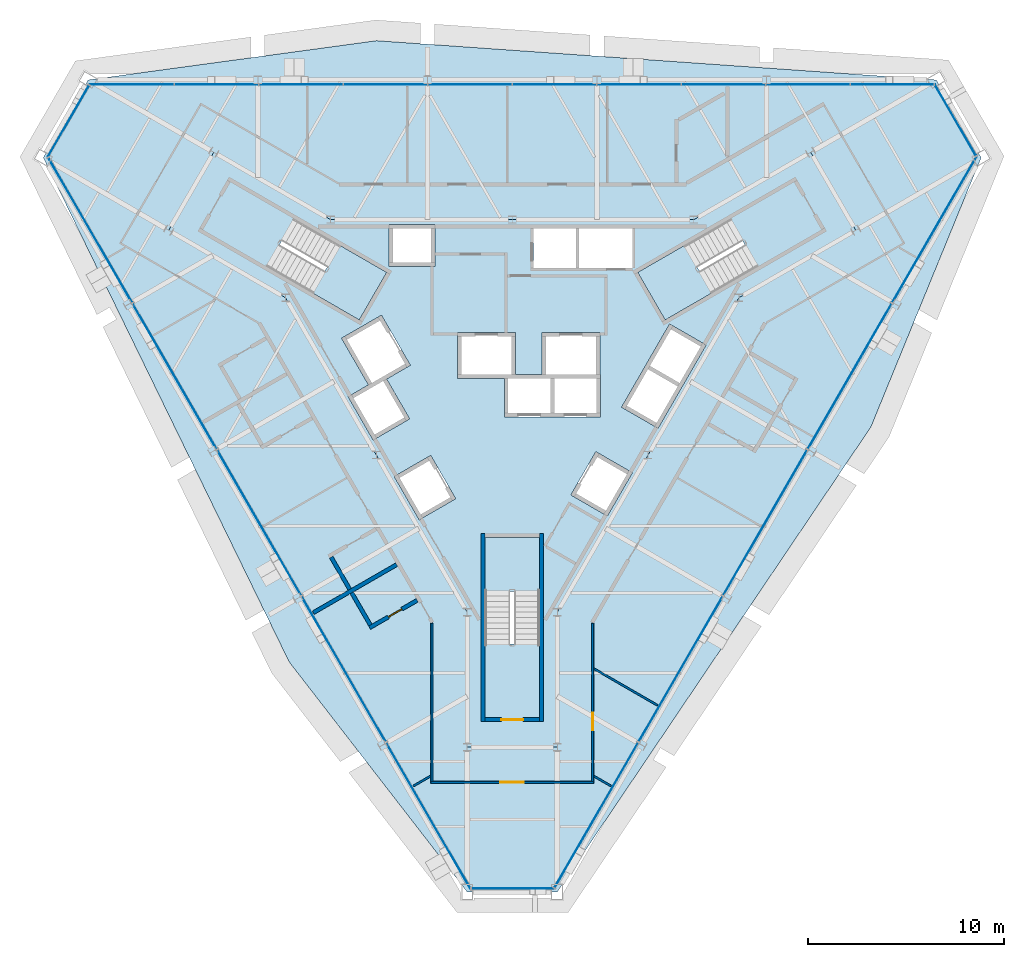
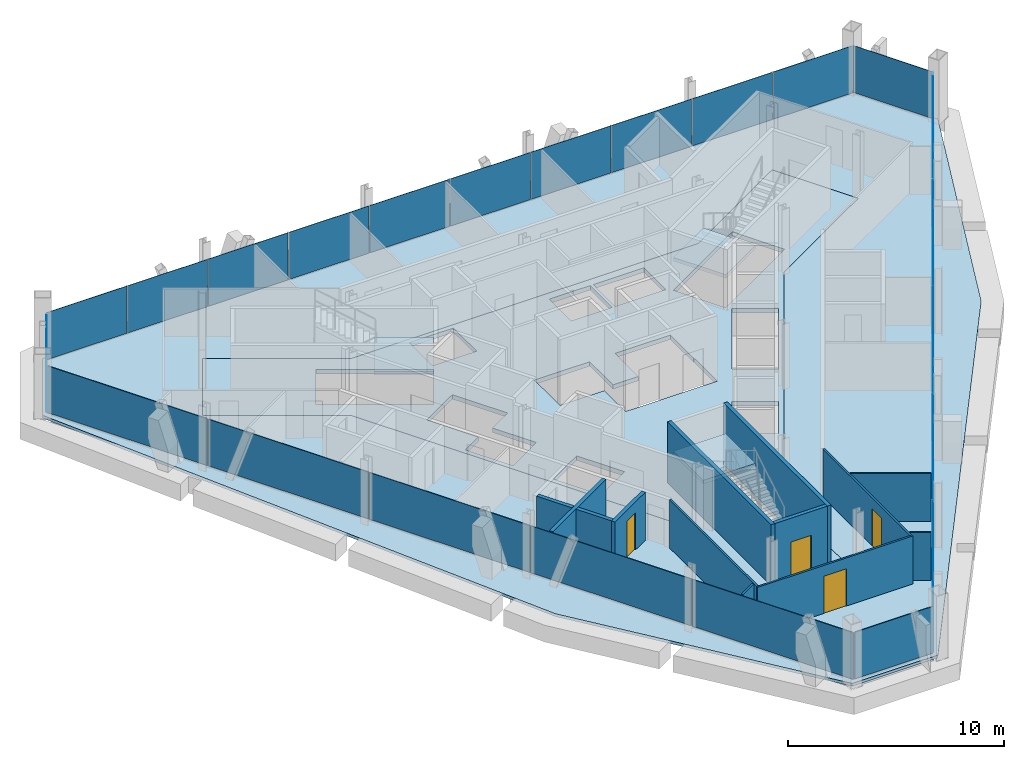
# One storey, part 8 of 13: 23 plates, 13 walls, 5 slabs, 4 doors, 4 openings, 9 elements without a shape of their own.
"""IFC4 building model written with IfcOpenShell, lengths in metres."""

from ifc_helpers import new_model, si_unit, direction, frame, frame_2d, origin, origin_2d, place, context, subcontext, project, spatial, polyline, rectangle, outline, extrude, material, layer, layer_set, type_object, element, fill, aggregate, save


model = new_model("IFC4")

# Units and contexts
model_context = context("Model", 3, precision=1e-05, world=origin(), true_north=direction((0.0, 1.0)))
body_context = subcontext(model_context, "Body", "Model", "MODEL_VIEW")
ifc_project = project(units=[si_unit("LENGTHUNIT", "METRE"), si_unit("AREAUNIT", "SQUARE_METRE"), si_unit("VOLUMEUNIT", "CUBIC_METRE"), si_unit("PLANEANGLEUNIT", "RADIAN"), si_unit("MASSUNIT", "GRAM", prefix="KILO")], contexts=[model_context])

# Site, building, storey
site_placement = place(None, origin())
site = spatial("IfcSite", under=ifc_project, at=site_placement, CompositionType="ELEMENT")
building_placement = place(site_placement, origin())
building = spatial("IfcBuilding", under=site, at=building_placement, Name="Verrane Prism Tower", CompositionType="ELEMENT")
storey_placement = place(building_placement, frame((0.0, 0.0, 210.10009765625)))
storey = spatial("IfcBuildingStorey", under=building, at=storey_placement, Name="L52", CompositionType="ELEMENT", Elevation=210.10009765625)

# Slabs
ifc_material_1 = material(Name="Concrete C35/45", Category="concrete")
ifc_layer_1 = layer(ifc_material_1, 0.159912109375)
ifc_layer_set_1 = layer_set([ifc_layer_1], Name="Composite floor slab")
slab_type_1 = type_object("IfcSlabType", Name="Composite floor slab", PredefinedType="FLOOR", material=ifc_layer_set_1)
slab_1_placement = place(storey_placement, frame((0.0, 0.0, -0.16015625)))
element("IfcSlab", 1, at=slab_1_placement, inside=storey, type_object=slab_type_1, Name="Floor slab L52", PredefinedType="FLOOR", context=body_context, shape_type="SweptSolid", body=[
    extrude(outline(polyline([(18.294921875, -2.572509765625), (2.291015625, -26.2919921875), (-2.291015625, -26.2919921875), (-11.375244140625, -14.5576171875), (-23.914794921875, 11.161865234375), (-21.623779296875, 15.1298828125), (-6.919677734375, 17.1298828125), (21.623779296875, 15.1298828125), (23.914794921875, 11.161865234375), (18.294921875, -2.572509765625)]), holes=[polyline([(17.52001953125, 7.4599609375), (15.219970703125, 11.43994140625), (9.260009765625, 8.0), (0.0, 8.0), (-9.260009765625, 8.0), (-15.219970703125, 11.43994140625), (-17.52001953125, 7.4599609375), (-11.56005859375, 4.02001953125), (-6.929931640625, -4.0), (-2.300048828125, -12.02001953125), (-2.300048828125, -18.89990234375), (2.300048828125, -18.89990234375), (2.300048828125, -12.02001953125), (6.929931640625, -4.0), (11.56005859375, 4.02001953125), (17.52001953125, 7.4599609375)])]), origin(), (0.0, 0.0, 1.0), 0.16015625),
])
ifc_material_2 = material(Name="Concrete C40/50", Category="concrete")
ifc_layer_2 = layer(ifc_material_2, 0.25)
ifc_layer_set_2 = layer_set([ifc_layer_2], Name="Core floor slab 250 concrete C40/50")
slab_type_2 = type_object("IfcSlabType", Name="Core floor slab 250 concrete C40/50", PredefinedType="FLOOR", material=ifc_layer_set_2)
slab_2_placement = place(storey_placement, frame((0.0, 0.0, -0.25)))
element("IfcSlab", 2, at=slab_2_placement, inside=storey, type_object=slab_type_2, Name="Core floor L52", PredefinedType="FLOOR", context=body_context, shape_type="SweptSolid", body=[
    extrude(outline(polyline([(11.56005859375, 4.02001953125), (17.52001953125, 7.4599609375), (15.219970703125, 11.43994140625), (9.260009765625, 8.0), (0.0, 8.0), (-9.260009765625, 8.0), (-15.219970703125, 11.43994140625), (-17.52001953125, 7.4599609375), (-11.56005859375, 4.02001953125), (-6.929931640625, -4.0), (-2.300048828125, -12.02001953125), (-2.300048828125, -18.89990234375), (2.300048828125, -18.89990234375), (2.300048828125, -12.02001953125), (6.929931640625, -4.0), (11.56005859375, 4.02001953125)]), holes=[polyline([(1.39990234375, -8.199951171875), (1.39990234375, -13.639892578125), (-1.39990234375, -13.639892578125), (-1.39990234375, -8.199951171875), (1.39990234375, -8.199951171875)]), polyline([(-2.881103515625, -6.22998046875), (-4.742919921875, -7.304931640625), (-6.01806640625, -5.096923828125), (-4.156005859375, -4.02197265625), (-2.881103515625, -6.22998046875)]), polyline([(-7.801025390625, 2.887939453125), (-12.512939453125, 5.60791015625), (-11.113037109375, 8.031982421875), (-6.40087890625, 5.31201171875), (-7.801025390625, 2.887939453125)]), polyline([(-6.284912109375, 5.610107421875), (-6.284912109375, 7.760009765625), (-3.93505859375, 7.760009765625), (-3.93505859375, 5.610107421875), (-6.284912109375, 5.610107421875)]), polyline([(4.26611328125, -3.8310546875), (6.1279296875, -4.906005859375), (4.85302734375, -7.114990234375), (2.990966796875, -6.0400390625), (4.26611328125, -3.8310546875)]), polyline([(7.43798828125, -2.636962890625), (5.575927734375, -1.56201171875), (8.02587890625, 2.680908203125), (9.887939453125, 1.60595703125), (7.43798828125, -2.636962890625)]), polyline([(0.1650390625, 0.10009765625), (1.52490234375, 0.10009765625), (1.52490234375, 2.25), (4.47509765625, 2.25), (4.47509765625, 0.10009765625), (4.4951171875, 0.10009765625), (4.4951171875, -2.050048828125), (-0.405029296875, -2.050048828125), (-0.405029296875, -0.10009765625), (-2.784912109375, -0.10009765625), (-2.784912109375, 2.25), (0.1650390625, 2.25), (0.1650390625, 0.10009765625)]), polyline([(6.40087890625, 5.31201171875), (11.113037109375, 8.031982421875), (12.512939453125, 5.60791015625), (7.801025390625, 2.887939453125), (6.40087890625, 5.31201171875)]), polyline([(1.074951171875, 5.534912109375), (1.074951171875, 7.56005859375), (3.264892578125, 7.56005859375), (3.264892578125, 5.534912109375), (1.074951171875, 5.534912109375)]), polyline([(3.4150390625, 7.56005859375), (6.125, 7.56005859375), (6.125, 5.534912109375), (3.4150390625, 5.534912109375), (3.4150390625, 7.56005859375)]), polyline([(-5.23095703125, -2.159912109375), (-7.093017578125, -3.235107421875), (-8.367919921875, -1.02587890625), (-7.3291015625, -0.426025390625), (-8.7041015625, 1.955078125), (-6.66796875, 3.1298828125), (-5.193115234375, 0.574951171875), (-6.406005859375, -0.125), (-5.23095703125, -2.159912109375)])]), origin(), (0.0, 0.0, 1.0), 0.25),
])

# Curtain wall, plates
ifc_material_3 = material(Name="Aluminium framed insulated glazing", Category="aluminium")
curtain_wall_type_1 = type_object("IfcCurtainWallType", Name="Curtain wall CW-C 4200 module", PredefinedType="NOTDEFINED", material=ifc_material_3)
curtain_wall_1_placement = place(storey_placement, origin())
curtain_wall_1 = element("IfcCurtainWall", 3, at=curtain_wall_1_placement, inside=storey, type_object=curtain_wall_type_1, Name="Glazed curtain wall north face L52", PredefinedType="NOTDEFINED")
ifc_material_4 = material(Name="Low-iron insulating glass unit", Category="glass")
ifc_layer_3 = layer(ifc_material_4, 0.02392578125)
ifc_layer_set_3 = layer_set([ifc_layer_3], Name="Glazing panel IGU 24")
plate_type_1 = type_object("IfcPlateType", Name="Glazing panel IGU 24", PredefinedType="CURTAIN_PANEL", material=ifc_layer_set_3)
plate_1_placement = place(storey_placement, frame((15.08544921875, 14.90185546875, 0.0498046875), z_axis=(0.0, 0.0, 1.0), x_axis=(-1.0, 0.0, 0.0)))
plate_1 = element("IfcPlate", 4, at=plate_1_placement, type_object=plate_type_1, Name="CW51.2 panel 2", PredefinedType="CURTAIN_PANEL", context=body_context, shape_type="SweptSolid", body=[
    extrude(rectangle(XDim=4.26025390625, YDim=0.02392578125, at=origin_2d()), origin(), (0.0, 0.0, 1.0), 2.662841796875),
])
plate_2_placement = place(storey_placement, frame((10.775390625, 14.90185546875, 0.0498046875), z_axis=(0.0, 0.0, 1.0), x_axis=(-1.0, 0.0, 0.0)))
plate_2 = element("IfcPlate", 5, at=plate_2_placement, type_object=plate_type_1, Name="CW51.2 panel 3", PredefinedType="CURTAIN_PANEL", context=body_context, shape_type="SweptSolid", body=[
    extrude(rectangle(XDim=4.26025390625, YDim=0.02392578125, at=origin_2d()), origin(), (0.0, 0.0, 1.0), 2.662841796875),
])
plate_3_placement = place(storey_placement, frame((6.46533203125, 14.90185546875, 0.0498046875), z_axis=(0.0, 0.0, 1.0), x_axis=(-1.0, 0.0, 0.0)))
plate_3 = element("IfcPlate", 6, at=plate_3_placement, type_object=plate_type_1, Name="CW51.2 panel 4", PredefinedType="CURTAIN_PANEL", context=body_context, shape_type="SweptSolid", body=[
    extrude(rectangle(XDim=4.26025390625, YDim=0.02392578125, at=origin_2d()), origin(), (0.0, 0.0, 1.0), 2.662841796875),
])
plate_4_placement = place(storey_placement, frame((2.155029296875, 14.90185546875, 0.0498046875), z_axis=(0.0, 0.0, 1.0), x_axis=(-1.0, 0.0, 0.0)))
plate_4 = element("IfcPlate", 7, at=plate_4_placement, type_object=plate_type_1, Name="CW51.2 panel 5", PredefinedType="CURTAIN_PANEL", context=body_context, shape_type="SweptSolid", body=[
    extrude(rectangle(XDim=4.26025390625, YDim=0.02392578125, at=origin_2d()), origin(), (0.0, 0.0, 1.0), 2.662841796875),
])
plate_5_placement = place(storey_placement, frame((-2.155029296875, 14.90185546875, 0.0498046875), z_axis=(0.0, 0.0, 1.0), x_axis=(-1.0, 0.0, 0.0)))
plate_5 = element("IfcPlate", 8, at=plate_5_placement, type_object=plate_type_1, Name="CW51.2 panel 6", PredefinedType="CURTAIN_PANEL", context=body_context, shape_type="SweptSolid", body=[
    extrude(rectangle(XDim=4.26025390625, YDim=0.02392578125, at=origin_2d()), origin(), (0.0, 0.0, 1.0), 2.662841796875),
])
plate_6_placement = place(storey_placement, frame((-6.46533203125, 14.90185546875, 0.0498046875), z_axis=(0.0, 0.0, 1.0), x_axis=(-1.0, 0.0, 0.0)))
plate_6 = element("IfcPlate", 9, at=plate_6_placement, type_object=plate_type_1, Name="CW51.2 panel 7", PredefinedType="CURTAIN_PANEL", context=body_context, shape_type="SweptSolid", body=[
    extrude(rectangle(XDim=4.26025390625, YDim=0.02392578125, at=origin_2d()), origin(), (0.0, 0.0, 1.0), 2.662841796875),
])
plate_7_placement = place(storey_placement, frame((-10.775390625, 14.90185546875, 0.0498046875), z_axis=(0.0, 0.0, 1.0), x_axis=(-1.0, 0.0, 0.0)))
plate_7 = element("IfcPlate", 10, at=plate_7_placement, type_object=plate_type_1, Name="CW51.2 panel 8", PredefinedType="CURTAIN_PANEL", context=body_context, shape_type="SweptSolid", body=[
    extrude(rectangle(XDim=4.26025390625, YDim=0.02392578125, at=origin_2d()), origin(), (0.0, 0.0, 1.0), 2.662841796875),
])
plate_8_placement = place(storey_placement, frame((-15.08544921875, 14.90185546875, 0.0498046875), z_axis=(0.0, 0.0, 1.0), x_axis=(-1.0, 0.0, 0.0)))
plate_8 = element("IfcPlate", 11, at=plate_8_placement, type_object=plate_type_1, Name="CW51.2 panel 9", PredefinedType="CURTAIN_PANEL", context=body_context, shape_type="SweptSolid", body=[
    extrude(rectangle(XDim=4.26025390625, YDim=0.02392578125, at=origin_2d()), origin(), (0.0, 0.0, 1.0), 2.662841796875),
])

# Curtain wall, plate
ifc_material_5 = material(Name="Aluminium framed insulated glazing", Category="aluminium")
curtain_wall_type_2 = type_object("IfcCurtainWallType", Name="Curtain wall CW-A 8400 module", PredefinedType="NOTDEFINED", material=ifc_material_5)
curtain_wall_2_placement = place(storey_placement, origin())
curtain_wall_2 = element("IfcCurtainWall", 12, at=curtain_wall_2_placement, inside=storey, type_object=curtain_wall_type_2, Name="Glazed curtain wall north-east corner L52", PredefinedType="NOTDEFINED")
ifc_material_6 = material(Name="Low-iron insulating glass unit", Category="glass")
ifc_layer_4 = layer(ifc_material_6, 0.031982421875)
ifc_layer_set_4 = layer_set([ifc_layer_4], Name="Glazing panel IGU 32")
plate_type_2 = type_object("IfcPlateType", Name="Glazing panel IGU 32", PredefinedType="CURTAIN_PANEL", material=ifc_layer_set_4)
plate_9_placement = place(storey_placement, frame((22.59814453125, 13.087646484375, 0.06982421875), z_axis=(0.0, 0.0, 1.0), x_axis=(-0.49999949327, 0.866025696345, 0.0)))
plate_9 = element("IfcPlate", 13, at=plate_9_placement, type_object=plate_type_2, Name="CW51.1 panel 1", PredefinedType="CURTAIN_PANEL", context=body_context, shape_type="SweptSolid", body=[
    extrude(rectangle(XDim=4.189697265625, YDim=0.031982421875, at=origin_2d()), origin(), (0.0, 0.0, 1.0), 2.642822265625),
])
aggregate(curtain_wall_2, [plate_9])

curtain_wall_3_placement = place(storey_placement, origin())
curtain_wall_3 = element("IfcCurtainWall", 14, at=curtain_wall_3_placement, inside=storey, type_object=curtain_wall_type_2, Name="Glazed curtain wall north-west corner L52", PredefinedType="NOTDEFINED")
plate_10_placement = place(storey_placement, frame((-22.63330078125, 13.02685546875, 0.06982421875), z_axis=(0.0, 0.0, 1.0), x_axis=(-0.49999949327, -0.866025696345, 0.0)))
plate_10 = element("IfcPlate", 15, at=plate_10_placement, type_object=plate_type_2, Name="CW51.3 panel 1", PredefinedType="CURTAIN_PANEL", context=body_context, shape_type="SweptSolid", body=[
    extrude(rectangle(XDim=4.189697265625, YDim=0.031982421875, at=origin_2d()), origin(), (0.0, 0.0, 1.0), 2.642822265625),
])
aggregate(curtain_wall_3, [plate_10])

# Curtain wall, plates
curtain_wall_4_placement = place(storey_placement, origin())
curtain_wall_4 = element("IfcCurtainWall", 16, at=curtain_wall_4_placement, inside=storey, type_object=curtain_wall_type_2, Name="Glazed curtain wall south-west face L52", PredefinedType="NOTDEFINED")
plate_11_placement = place(storey_placement, frame((-21.516845703125, 7.46484375, 0.06982421875), z_axis=(0.0, 0.0, 1.0), x_axis=(0.499998799899, -0.866026096662, 0.0)))
plate_11 = element("IfcPlate", 17, at=plate_11_placement, type_object=plate_type_2, Name="CW51.4 panel 1", PredefinedType="CURTAIN_PANEL", context=body_context, shape_type="SweptSolid", body=[
    extrude(rectangle(XDim=8.515380859375, YDim=0.031982421875, at=origin_2d()), origin(), (0.0, 0.0, 1.0), 2.642822265625),
])
plate_12_placement = place(storey_placement, frame((-17.215576171875, 0.0146484375, 0.06982421875), z_axis=(0.0, 0.0, 1.0), x_axis=(0.499998799899, -0.866026096662, 0.0)))
plate_12 = element("IfcPlate", 18, at=plate_12_placement, type_object=plate_type_2, Name="CW51.4 panel 2", PredefinedType="CURTAIN_PANEL", context=body_context, shape_type="SweptSolid", body=[
    extrude(rectangle(XDim=8.55029296875, YDim=0.031982421875, at=origin_2d()), origin(), (0.0, 0.0, 1.0), 2.642822265625),
])
plate_13_placement = place(storey_placement, frame((-12.9052734375, -7.450927734375, 0.06982421875), z_axis=(0.0, 0.0, 1.0), x_axis=(0.499998799899, -0.866026096662, 0.0)))
plate_13 = element("IfcPlate", 19, at=plate_13_placement, type_object=plate_type_2, Name="CW51.4 panel 3", PredefinedType="CURTAIN_PANEL", context=body_context, shape_type="SweptSolid", body=[
    extrude(rectangle(XDim=8.55029296875, YDim=0.031982421875, at=origin_2d()), origin(), (0.0, 0.0, 1.0), 2.642822265625),
])
plate_14_placement = place(storey_placement, frame((-8.59521484375, -14.916259765625, 0.06982421875), z_axis=(0.0, 0.0, 1.0), x_axis=(0.499998799899, -0.866026096662, 0.0)))
plate_14 = element("IfcPlate", 20, at=plate_14_placement, type_object=plate_type_2, Name="CW51.4 panel 4", PredefinedType="CURTAIN_PANEL", context=body_context, shape_type="SweptSolid", body=[
    extrude(rectangle(XDim=8.55029296875, YDim=0.031982421875, at=origin_2d()), origin(), (0.0, 0.0, 1.0), 2.642822265625),
])
plate_15_placement = place(storey_placement, frame((-4.276123046875, -22.39697265625, 0.06982421875), z_axis=(0.0, 0.0, 1.0), x_axis=(0.499998799899, -0.866026096662, 0.0)))
plate_15 = element("IfcPlate", 21, at=plate_15_placement, type_object=plate_type_2, Name="CW51.4 panel 5", PredefinedType="CURTAIN_PANEL", context=body_context, shape_type="SweptSolid", body=[
    extrude(rectangle(XDim=8.58544921875, YDim=0.031982421875, at=origin_2d()), origin(), (0.0, 0.0, 1.0), 2.642822265625),
])
aggregate(curtain_wall_4, [plate_11, plate_12, plate_13, plate_14, plate_15])

# Curtain wall, plate
curtain_wall_5_placement = place(storey_placement, origin())
curtain_wall_5 = element("IfcCurtainWall", 22, at=curtain_wall_5_placement, inside=storey, type_object=curtain_wall_type_2, Name="Glazed curtain wall south corner L52", PredefinedType="NOTDEFINED")
plate_16_placement = place(storey_placement, frame((0.034912109375, -26.114501953125, 0.06982421875), z_axis=(0.0, 0.0, 1.0), x_axis=(1.0, 0.0, 0.0)))
plate_16 = element("IfcPlate", 23, at=plate_16_placement, type_object=plate_type_2, Name="CW51.5 panel 1", PredefinedType="CURTAIN_PANEL", context=body_context, shape_type="SweptSolid", body=[
    extrude(rectangle(XDim=4.189697265625, YDim=0.031982421875, at=origin_2d()), origin(), (0.0, 0.0, 1.0), 2.642822265625),
])
aggregate(curtain_wall_5, [plate_16])

# Curtain wall, plates
curtain_wall_6_placement = place(storey_placement, origin())
curtain_wall_6 = element("IfcCurtainWall", 24, at=curtain_wall_6_placement, inside=storey, type_object=curtain_wall_type_2, Name="Glazed curtain wall south-east face L52", PredefinedType="NOTDEFINED")
plate_17_placement = place(storey_placement, frame((8.59521484375, -14.916259765625, 0.06982421875), z_axis=(0.0, 0.0, 1.0), x_axis=(0.499998799899, 0.866026096662, 0.0)))
plate_17 = element("IfcPlate", 25, at=plate_17_placement, type_object=plate_type_2, Name="CW51.6 panel 2", PredefinedType="CURTAIN_PANEL", context=body_context, shape_type="SweptSolid", body=[
    extrude(rectangle(XDim=8.55029296875, YDim=0.031982421875, at=origin_2d()), origin(), (0.0, 0.0, 1.0), 2.642822265625),
])
plate_18_placement = place(storey_placement, frame((12.9052734375, -7.450927734375, 0.06982421875), z_axis=(0.0, 0.0, 1.0), x_axis=(0.499998799899, 0.866026096662, 0.0)))
plate_18 = element("IfcPlate", 26, at=plate_18_placement, type_object=plate_type_2, Name="CW51.6 panel 3", PredefinedType="CURTAIN_PANEL", context=body_context, shape_type="SweptSolid", body=[
    extrude(rectangle(XDim=8.55029296875, YDim=0.031982421875, at=origin_2d()), origin(), (0.0, 0.0, 1.0), 2.642822265625),
])
plate_19_placement = place(storey_placement, frame((17.215576171875, 0.0146484375, 0.06982421875), z_axis=(0.0, 0.0, 1.0), x_axis=(0.499998799899, 0.866026096662, 0.0)))
plate_19 = element("IfcPlate", 27, at=plate_19_placement, type_object=plate_type_2, Name="CW51.6 panel 4", PredefinedType="CURTAIN_PANEL", context=body_context, shape_type="SweptSolid", body=[
    extrude(rectangle(XDim=8.55029296875, YDim=0.031982421875, at=origin_2d()), origin(), (0.0, 0.0, 1.0), 2.642822265625),
])
plate_20_placement = place(storey_placement, frame((21.534423828125, 7.4951171875, 0.06982421875), z_axis=(0.0, 0.0, 1.0), x_axis=(0.499998799899, 0.866026096662, 0.0)))
plate_20 = element("IfcPlate", 28, at=plate_20_placement, type_object=plate_type_2, Name="CW51.6 panel 5", PredefinedType="CURTAIN_PANEL", context=body_context, shape_type="SweptSolid", body=[
    extrude(rectangle(XDim=8.58544921875, YDim=0.031982421875, at=origin_2d()), origin(), (0.0, 0.0, 1.0), 2.642822265625),
])

# Stair, slab
ifc_material_7 = material(Name="Concrete C40/50", Category="concrete")
stair_type = type_object("IfcStairType", Name="Exit stair 1300 dog-leg precast concrete C40/50", PredefinedType="HALF_TURN_STAIR", material=ifc_material_7)
stair_1_placement = place(storey_placement, origin())
stair_1 = element("IfcStair", 29, at=stair_1_placement, inside=storey, type_object=stair_type, Name="Stair 1 L52", PredefinedType="HALF_TURN_STAIR")
ifc_material_8 = material(Name="Concrete C40/50", Category="concrete")
ifc_layer_5 = layer(ifc_material_8, 0.199951171875)
ifc_layer_set_5 = layer_set([ifc_layer_5], Name="Stair landing 200 precast concrete C40/50")
slab_type_3 = type_object("IfcSlabType", Name="Stair landing 200 precast concrete C40/50", PredefinedType="LANDING", material=ifc_layer_set_5)
slab_3_placement = place(storey_placement, frame((0.0, 0.0, 1.64990234375)))
slab_3 = element("IfcSlab", 30, at=slab_3_placement, type_object=slab_type_3, Name="Stair 1 landing 1", PredefinedType="LANDING", context=body_context, shape_type="SweptSolid", body=[
    extrude(outline(polyline([(8.791748046875, 6.6923828125), (6.4013671875, 5.3125), (7.801513671875, 2.887451171875), (10.191650390625, 4.267578125), (8.791748046875, 6.6923828125)])), origin(), (0.0, 0.0, 1.0), 0.199951171875),
])
aggregate(stair_1, [slab_3])

stair_2_placement = place(storey_placement, origin())
stair_2 = element("IfcStair", 31, at=stair_2_placement, inside=storey, type_object=stair_type, Name="Stair 2 L52", PredefinedType="HALF_TURN_STAIR")
slab_4_placement = place(storey_placement, frame((0.0, 0.0, 1.64990234375)))
slab_4 = element("IfcSlab", 32, at=slab_4_placement, type_object=slab_type_3, Name="Stair 2 landing 1", PredefinedType="LANDING", context=body_context, shape_type="SweptSolid", body=[
    extrude(outline(polyline([(-10.191650390625, 4.267578125), (-7.801513671875, 2.887451171875), (-6.4013671875, 5.3125), (-8.791748046875, 6.6923828125), (-10.191650390625, 4.267578125)])), origin(), (0.0, 0.0, 1.0), 0.199951171875),
])
aggregate(stair_2, [slab_4])

stair_3_placement = place(storey_placement, origin())
stair_3 = element("IfcStair", 33, at=stair_3_placement, inside=storey, type_object=stair_type, Name="Stair 3 L52", PredefinedType="HALF_TURN_STAIR")
slab_5_placement = place(storey_placement, frame((0.0, 0.0, 1.64990234375)))
slab_5 = element("IfcSlab", 34, at=slab_5_placement, type_object=slab_type_3, Name="Stair 3 landing 1", PredefinedType="LANDING", context=body_context, shape_type="SweptSolid", body=[
    extrude(outline(polyline([(1.39990234375, -10.9599609375), (1.39990234375, -8.199951171875), (-1.39990234375, -8.199951171875), (-1.39990234375, -10.9599609375), (1.39990234375, -10.9599609375)])), origin(), (0.0, 0.0, 1.0), 0.199951171875),
])
aggregate(stair_3, [slab_5])

# Plate
ifc_material_9 = material(Name="Warm limestone cladding", Category="masonry")
ifc_layer_6 = layer(ifc_material_9, 0.028076171875)
ifc_layer_set_6 = layer_set([ifc_layer_6], Name="Stone-faced spandrel panel 28")
plate_type_3 = type_object("IfcPlateType", Name="Stone-faced spandrel panel 28", PredefinedType="CURTAIN_PANEL", material=ifc_layer_set_6)
plate_21_placement = place(storey_placement, frame((19.38330078125, 14.90185546875, 0.0498046875), z_axis=(0.0, 0.0, 1.0), x_axis=(-1.0, 0.0, 0.0)))
plate_21 = element("IfcPlate", 35, at=plate_21_placement, type_object=plate_type_3, Name="CW51.2 panel 1", PredefinedType="CURTAIN_PANEL", context=body_context, shape_type="SweptSolid", body=[
    extrude(rectangle(XDim=4.235107421875, YDim=0.028076171875, at=origin_2d()), origin(), (0.0, 0.0, 1.0), 2.662841796875),
])

plate_22_placement = place(storey_placement, frame((-19.408203125, 14.90185546875, 0.0498046875), z_axis=(0.0, 0.0, 1.0), x_axis=(-1.0, 0.0, 0.0)))
plate_22 = element("IfcPlate", 36, at=plate_22_placement, type_object=plate_type_3, Name="CW51.2 panel 10", PredefinedType="CURTAIN_PANEL", context=body_context, shape_type="SweptSolid", body=[
    extrude(rectangle(XDim=4.28515625, YDim=0.028076171875, at=origin_2d()), origin(), (0.0, 0.0, 1.0), 2.662841796875),
])

aggregate(curtain_wall_1, [plate_21, plate_1, plate_2, plate_3, plate_4, plate_5, plate_6, plate_7, plate_8, plate_22])

plate_23_placement = place(storey_placement, frame((4.293701171875, -22.36669921875, 0.06982421875), z_axis=(0.0, 0.0, 1.0), x_axis=(0.499998799899, 0.866026096662, 0.0)))
plate_23 = element("IfcPlate", 37, at=plate_23_placement, type_object=plate_type_3, Name="CW51.6 panel 1", PredefinedType="CURTAIN_PANEL", context=body_context, shape_type="SweptSolid", body=[
    extrude(rectangle(XDim=8.515380859375, YDim=0.028076171875, at=origin_2d()), origin(), (0.0, 0.0, 1.0), 2.642822265625),
])

aggregate(curtain_wall_6, [plate_23, plate_17, plate_18, plate_19, plate_20])

# Wall, opening, door
ifc_material_10 = material(Name="Concrete C40/50", Category="concrete")
ifc_layer_7 = layer(ifc_material_10, 0.199951171875)
ifc_layer_set_7 = layer_set([ifc_layer_7], Name="CW-200 stair core wall concrete C40/50 3 h")
wall_type_1 = type_object("IfcWallType", Name="CW-200 stair core wall concrete C40/50 3 h", PredefinedType="PARTITIONING", material=ifc_layer_set_7)
wall_1_placement = place(storey_placement, frame((-1.39990234375, -17.5, 0.0), z_axis=(0.0, 0.0, 1.0), x_axis=(1.0, 0.0, 0.0)))
wall_1 = element("IfcWall", 38, at=wall_1_placement, inside=storey, type_object=wall_type_1, Name="Stair 3 enclosure wall", PredefinedType="PARTITIONING", context=body_context, shape_type="SweptSolid", body=[
    extrude(rectangle(XDim=2.7998046875, YDim=0.199951171875, at=frame_2d((1.39990234375, 0.0))), origin(), (0.0, 0.0, 1.0), 3.449951171875),
])
opening_1_placement = place(wall_1_placement, frame((0.85009765625, 0.0, 0.0)))
opening_1 = element("IfcOpeningElement", 39, at=opening_1_placement, cuts=wall_1, Name="Opening D51502", PredefinedType="OPENING", context=body_context, shape_type="SweptSolid", body=[
    extrude(rectangle(XDim=1.10009765625, YDim=2.10009765625, at=frame_2d((0.550048828125, 1.050048828125))), frame((0.0, 0.10986328125, 0.0), z_axis=(0.0, -1.0, 0.0), x_axis=(1.0, 0.0, 0.0)), (0.0, 0.0, 1.0), 0.219970703125),
])
ifc_material_11 = material(Name="Timber veneered door leaf", Category="wood")
door_type_1 = type_object("IfcDoorType", Name="DR-1100x2100 FD90 single leaf stair", OperationType="NOTDEFINED", PredefinedType="DOOR", material=ifc_material_11)
door_1_placement = place(opening_1_placement, origin())
door_1 = element("IfcDoor", 40, at=door_1_placement, inside=storey, type_object=door_type_1, Name="Stair 3 door", OperationType="SINGLE_SWING_LEFT", OverallHeight=2.10009765625, OverallWidth=1.10009765625, PredefinedType="DOOR", context=body_context, shape_type="SweptSolid", body=[
    extrude(rectangle(XDim=1.10009765625, YDim=2.10009765625, at=frame_2d((0.550048828125, 1.050048828125))), frame((0.0, 0.02490234375, 0.0), z_axis=(0.0, -1.0, 0.0), x_axis=(1.0, 0.0, 0.0)), (0.0, 0.0, 1.0), 0.050048828125),
])
fill(opening_1, door_1)

# Walls
for number, where, z_axis, x_axis, name in (
    (41, (1.5, -8.0, 0.0), (0.0, 0.0, 1.0), (0.0, -1.0, 0.0), "Stair 3 enclosure wall"),
    (42, (-1.5, -8.0, 0.0), (0.0, 0.0, 1.0), (0.0, -1.0, 0.0), "Stair 3 enclosure wall"),
):
    element("IfcWall", number, at=place(storey_placement, frame(where, z_axis=z_axis, x_axis=x_axis)), inside=storey, type_object=wall_type_1, Name=name, PredefinedType="PARTITIONING", context=body_context, shape_type="SweptSolid", body=[
        extrude(rectangle(XDim=9.60009765625, YDim=0.199951171875, at=frame_2d((4.800048828125, 0.0))), origin(), (0.0, 0.0, 1.0), 3.449951171875),
    ])
ifc_material_12 = material(Name="Gypsum board partition", Category="other")
ifc_layer_8 = layer(ifc_material_12, 0.10009765625)
ifc_layer_set_8 = layer_set([ifc_layer_8], Name="PW-100 room partition")
wall_type_2 = type_object("IfcWallType", Name="PW-100 room partition", PredefinedType="PARTITIONING", material=ifc_layer_set_8)
wall_2_placement = place(storey_placement, frame((-5.039794921875, -20.882080078125, 0.0), z_axis=(0.0, 0.0, 1.0), x_axis=(0.866234439787, 0.499637764112, 0.0)))
element("IfcWall", 43, at=wall_2_placement, inside=storey, type_object=wall_type_2, Name="Room partition 021", PredefinedType="PARTITIONING", context=body_context, shape_type="SweptSolid", body=[
    extrude(rectangle(XDim=0.998291015625, YDim=0.10009765625, at=frame_2d((0.4990234375, 0.0))), origin(), (0.0, 0.0, 1.0), 2.712890625),
])
wall_3_placement = place(storey_placement, frame((-4.10009765625, -20.64990234375, 0.0), z_axis=(0.0, 0.0, 1.0), x_axis=(0.0, 1.0, 0.0)))
element("IfcWall", 44, at=wall_3_placement, inside=storey, type_object=wall_type_2, Name="Room partition 022", PredefinedType="PARTITIONING", context=body_context, shape_type="SweptSolid", body=[
    extrude(rectangle(XDim=8.06298828125, YDim=0.10009765625, at=frame_2d((4.031494140625, 0.0))), origin(), (0.0, 0.0, 1.0), 2.712890625),
])

# Wall, opening, door
wall_4_placement = place(storey_placement, frame((4.14990234375, -20.699951171875, 0.0), z_axis=(0.0, 0.0, 1.0), x_axis=(-1.0, 0.0, 0.0)))
wall_4 = element("IfcWall", 45, at=wall_4_placement, inside=storey, type_object=wall_type_2, Name="Room partition 023", PredefinedType="PARTITIONING", context=body_context, shape_type="SweptSolid", body=[
    extrude(rectangle(XDim=8.2998046875, YDim=0.10009765625, at=frame_2d((4.14990234375, 0.0))), origin(), (0.0, 0.0, 1.0), 2.712890625),
])
opening_2_placement = place(wall_4_placement, frame((3.550048828125, 0.0, 0.0)))
opening_2 = element("IfcOpeningElement", 46, at=opening_2_placement, cuts=wall_4, Name="Opening D51023", PredefinedType="OPENING", context=body_context, shape_type="SweptSolid", body=[
    extrude(rectangle(XDim=1.199951171875, YDim=2.10009765625, at=frame_2d((0.60009765625, 1.050048828125))), frame((0.0, 0.06005859375, 0.0), z_axis=(0.0, -1.0, 0.0), x_axis=(1.0, 0.0, 0.0)), (0.0, 0.0, 1.0), 0.1201171875),
])
ifc_material_13 = material(Name="Timber veneered door leaf", Category="wood")
door_type_2 = type_object("IfcDoorType", Name="DR-1200x2100 single leaf unit", OperationType="NOTDEFINED", PredefinedType="DOOR", material=ifc_material_13)
door_2_placement = place(opening_2_placement, origin())
door_2 = element("IfcDoor", 47, at=door_2_placement, inside=storey, type_object=door_type_2, Name="Living And Dining Room door", OperationType="SINGLE_SWING_RIGHT", OverallHeight=2.10009765625, OverallWidth=1.199951171875, PredefinedType="DOOR", context=body_context, shape_type="SweptSolid", body=[
    extrude(rectangle(XDim=1.199951171875, YDim=2.10009765625, at=frame_2d((0.60009765625, 1.050048828125))), frame((0.0, 0.02490234375, 0.0), z_axis=(0.0, -1.0, 0.0), x_axis=(1.0, 0.0, 0.0)), (0.0, 0.0, 1.0), 0.050048828125),
])
fill(opening_2, door_2)

wall_5_placement = place(storey_placement, frame((4.10009765625, -12.5869140625, 0.0), z_axis=(0.0, 0.0, 1.0), x_axis=(0.0, -1.0, 0.0)))
wall_5 = element("IfcWall", 48, at=wall_5_placement, inside=storey, type_object=wall_type_2, Name="Room partition 025", PredefinedType="PARTITIONING", context=body_context, shape_type="SweptSolid", body=[
    extrude(rectangle(XDim=8.06298828125, YDim=0.10009765625, at=frame_2d((4.031494140625, 0.0))), origin(), (0.0, 0.0, 1.0), 2.712890625),
])
opening_3_placement = place(wall_5_placement, frame((4.552978515625, 0.0, 0.0)))
opening_3 = element("IfcOpeningElement", 49, at=opening_3_placement, cuts=wall_5, Name="Opening D51001", PredefinedType="OPENING", context=body_context, shape_type="SweptSolid", body=[
    extrude(rectangle(XDim=0.89990234375, YDim=2.10009765625, at=frame_2d((0.449951171875, 1.050048828125))), frame((0.0, 0.06005859375, 0.0), z_axis=(0.0, -1.0, 0.0), x_axis=(1.0, 0.0, 0.0)), (0.0, 0.0, 1.0), 0.1201171875),
])
ifc_material_14 = material(Name="Timber veneered door leaf", Category="wood")
door_type_3 = type_object("IfcDoorType", Name="DR-900x2100 single leaf unit", OperationType="NOTDEFINED", PredefinedType="DOOR", material=ifc_material_14)
door_3_placement = place(opening_3_placement, origin())
door_3 = element("IfcDoor", 50, at=door_3_placement, inside=storey, type_object=door_type_3, Name="Kitchen door", OperationType="SINGLE_SWING_RIGHT", OverallHeight=2.10009765625, OverallWidth=0.89990234375, PredefinedType="DOOR", context=body_context, shape_type="SweptSolid", body=[
    extrude(rectangle(XDim=0.89990234375, YDim=2.10009765625, at=frame_2d((0.449951171875, 1.050048828125))), frame((0.0, 0.02490234375, 0.0), z_axis=(0.0, -1.0, 0.0), x_axis=(1.0, 0.0, 0.0)), (0.0, 0.0, 1.0), 0.050048828125),
])
fill(opening_3, door_3)

# Walls
wall_6_placement = place(storey_placement, frame((4.175048828125, -20.38330078125, 0.0), z_axis=(0.0, 0.0, 1.0), x_axis=(0.866234439787, -0.499637764112, 0.0)))
element("IfcWall", 51, at=wall_6_placement, inside=storey, type_object=wall_type_2, Name="Room partition 026", PredefinedType="PARTITIONING", context=body_context, shape_type="SweptSolid", body=[
    extrude(rectangle(XDim=0.998291015625, YDim=0.10009765625, at=frame_2d((0.4990234375, 0.0))), origin(), (0.0, 0.0, 1.0), 2.712890625),
])
wall_7_placement = place(storey_placement, frame((4.175048828125, -14.900390625, 0.0), z_axis=(0.0, 0.0, 1.0), x_axis=(0.866057308191, -0.499944735875, 0.0)))
element("IfcWall", 52, at=wall_7_placement, inside=storey, type_object=wall_type_2, Name="Room partition 027", PredefinedType="PARTITIONING", context=body_context, shape_type="SweptSolid", body=[
    extrude(rectangle(XDim=3.73974609375, YDim=0.10009765625, at=frame_2d((1.869873046875, 0.0))), origin(), (0.0, 0.0, 1.0), 2.712890625),
])
ifc_material_15 = material(Name="Gypsum board partition", Category="other")
ifc_layer_9 = layer(ifc_material_15, 0.199951171875)
ifc_layer_set_9 = layer_set([ifc_layer_9], Name="PW-200 plumbing wall")
wall_type_3 = type_object("IfcWallType", Name="PW-200 plumbing wall", PredefinedType="PARTITIONING", material=ifc_layer_set_9)
wall_8_placement = place(storey_placement, frame((-10.142822265625, -12.04296875, 0.0), z_axis=(0.0, 0.0, 1.0), x_axis=(0.866136679459, 0.49980721533, 0.0)))
element("IfcWall", 53, at=wall_8_placement, inside=storey, type_object=wall_type_3, Name="Plumbing wall 014", PredefinedType="PARTITIONING", context=body_context, shape_type="SweptSolid", body=[
    extrude(rectangle(XDim=4.90380859375, YDim=0.199951171875, at=frame_2d((2.451904296875, 0.0))), origin(), (0.0, 0.0, 1.0), 2.712890625),
])
wall_9_placement = place(storey_placement, frame((-9.23388671875, -9.209716796875, 0.0), z_axis=(0.0, 0.0, 1.0), x_axis=(0.499949193323, -0.866054735046, 0.0)))
element("IfcWall", 54, at=wall_9_placement, inside=storey, type_object=wall_type_3, Name="Plumbing wall 015", PredefinedType="PARTITIONING", context=body_context, shape_type="SweptSolid", body=[
    extrude(rectangle(XDim=1.895263671875, YDim=0.199951171875, at=frame_2d((0.94775390625, 0.0))), origin(), (0.0, 0.0, 1.0), 2.712890625),
])
wall_10_placement = place(storey_placement, frame((-8.18408203125, -11.028564453125, 0.0), z_axis=(0.0, 0.0, 1.0), x_axis=(0.500134112126, -0.865947960265, 0.0)))
element("IfcWall", 55, at=wall_10_placement, inside=storey, type_object=wall_type_3, Name="Plumbing wall 018", PredefinedType="PARTITIONING", context=body_context, shape_type="SweptSolid", body=[
    extrude(rectangle(XDim=1.8994140625, YDim=0.199951171875, at=frame_2d((0.94970703125, 0.0))), origin(), (0.0, 0.0, 1.0), 2.712890625),
])

# Wall, opening, door
wall_11_placement = place(storey_placement, frame((-7.2705078125, -12.81005859375, 0.0), z_axis=(0.0, 0.0, 1.0), x_axis=(0.866041588165, 0.499971966783, 0.0)))
wall_11 = element("IfcWall", 56, at=wall_11_placement, inside=storey, type_object=wall_type_3, Name="Plumbing wall 019", PredefinedType="PARTITIONING", context=body_context, shape_type="SweptSolid", body=[
    extrude(rectangle(XDim=2.795166015625, YDim=0.199951171875, at=frame_2d((1.3974609375, 0.0))), origin(), (0.0, 0.0, 1.0), 2.712890625),
])
opening_4_placement = place(wall_11_placement, frame((1.10009765625, 0.0, 0.0)))
opening_4 = element("IfcOpeningElement", 57, at=opening_4_placement, cuts=wall_11, Name="Opening D51022", PredefinedType="OPENING", context=body_context, shape_type="SweptSolid", body=[
    extrude(rectangle(XDim=0.800048828125, YDim=2.10009765625, at=frame_2d((0.39990234375, 1.050048828125))), frame((0.0, 0.10986328125, 0.0), z_axis=(0.0, -1.0, 0.0), x_axis=(1.0, 0.0, 0.0)), (0.0, 0.0, 1.0), 0.219970703125),
])
ifc_material_16 = material(Name="Timber veneered door leaf", Category="wood")
door_type_4 = type_object("IfcDoorType", Name="DR-800x2100 single leaf bath", OperationType="NOTDEFINED", PredefinedType="DOOR", material=ifc_material_16)
door_4_placement = place(opening_4_placement, origin())
door_4 = element("IfcDoor", 58, at=door_4_placement, inside=storey, type_object=door_type_4, Name="Bathroom door", OperationType="SINGLE_SWING_RIGHT", OverallHeight=2.10009765625, OverallWidth=0.800048828125, PredefinedType="DOOR", context=body_context, shape_type="SweptSolid", body=[
    extrude(rectangle(XDim=0.800048828125, YDim=2.10009765625, at=frame_2d((0.39990234375, 1.050048828125))), frame((0.0, 0.02490234375, 0.0), z_axis=(0.0, -1.0, 0.0), x_axis=(1.0, 0.0, 0.0)), (0.0, 0.0, 1.0), 0.050048828125),
])
fill(opening_4, door_4)

save(model, "model.ifc")
